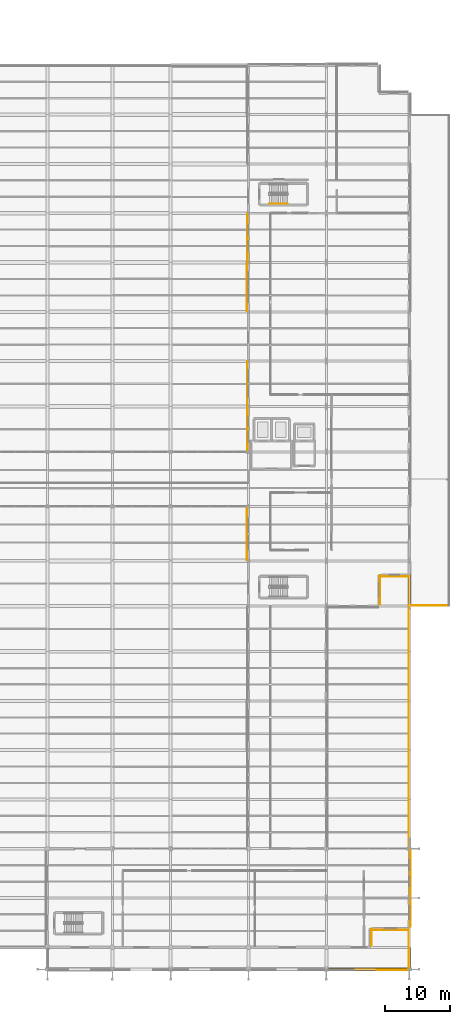
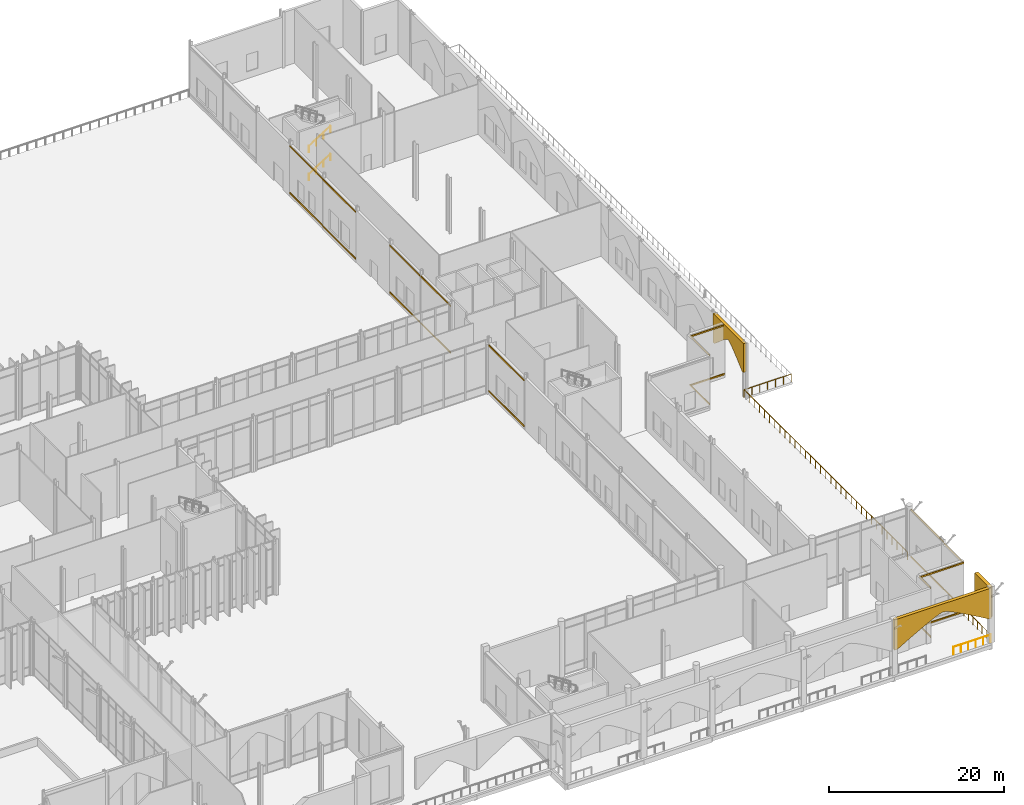
# One storey, part 172 of 176: 25 coverings, 5 railings.
"""IFC4 building model written with IfcOpenShell, lengths in metres."""

import ifcopenshell
import ifcopenshell.guid

model = None  # the IFC model being written
_history = None  # IfcOwnerHistory: only IFC2X3 demands one
_inside = {}  # id of a spatial element -> (the spatial element, [elements in it])
_under = {}  # id of a project, library or spatial element -> (it, [spatial elements below it])
_declared = {}  # id of a project -> (the project, [libraries it declares])
_typed = {}  # id of a type object -> (the type object, [elements of that type])
_made_of = {}  # id of a material, layer set ... -> (it, [elements and type objects made of it])


def new_model(schema):
    """Start an empty IFC model of exactly this schema.

    Asked for "IFC4X3", IfcOpenShell would pick the latest addendum, in which some entities
    have other attributes; the version numbers below select the first issue.
    IFC2X3 requires an IfcOwnerHistory on every rooted entity: one is made here for all.
    """
    global model, _history
    if schema == "IFC4X3":
        model = ifcopenshell.file(schema_version=(4, 3, 0, 0))
    else:
        model = ifcopenshell.file(schema=schema)
    _inside.clear()
    _under.clear()
    _declared.clear()
    _typed.clear()
    _made_of.clear()
    _history = None
    if model.schema == "IFC2X3":
        org = make("IfcOrganization", Name="unknown")
        user = make(
            "IfcPersonAndOrganization",
            ThePerson=make("IfcPerson", FamilyName="unknown"),
            TheOrganization=org,
        )
        app = make(
            "IfcApplication",
            ApplicationDeveloper=org,
            Version="unknown",
            ApplicationFullName="unknown",
            ApplicationIdentifier="unknown",
        )
        _history = make(
            "IfcOwnerHistory",
            OwningUser=user,
            OwningApplication=app,
            ChangeAction="ADDED",
            CreationDate=0,
        )
    return model


def make(cls, **values):
    """One entity of the class cls with the attributes given. An attribute that is None is left unset."""
    return model.create_entity(
        cls, **{name: value for name, value in values.items() if value is not None}
    )


def rooted(cls, **values):
    """An entity with a GlobalId (a new one), such as an element, a storey or a relation."""
    return make(cls, GlobalId=ifcopenshell.guid.new(), OwnerHistory=_history, **values)


def si_unit(unit_type, name, prefix=None):
    """IfcSIUnit, for example si_unit("LENGTHUNIT", "METRE", prefix="MILLI")."""
    return make("IfcSIUnit", UnitType=unit_type, Prefix=prefix, Name=name)


def assignment(units):
    """IfcUnitAssignment: the units of a project."""
    return None if units is None else make("IfcUnitAssignment", Units=units)


def point(xyz):
    """IfcCartesianPoint."""
    return None if xyz is None else make("IfcCartesianPoint", Coordinates=xyz)


def direction(xyz):
    """IfcDirection."""
    return None if xyz is None else make("IfcDirection", DirectionRatios=xyz)


def frame(location, z_axis=None, x_axis=None):
    """IfcAxis2Placement3D, a coordinate frame: its origin and axes. An axis left out is left unset."""
    return make(
        "IfcAxis2Placement3D",
        Location=point(location),
        Axis=direction(z_axis),
        RefDirection=direction(x_axis),
    )


def frame_2d(location, x_axis=None):
    """IfcAxis2Placement2D, a coordinate frame in the plane: its origin and x axis."""
    return make(
        "IfcAxis2Placement2D", Location=point(location), RefDirection=direction(x_axis)
    )


def origin():
    """The frame at (0, 0, 0) with its axes left unset."""
    return frame((0.0, 0.0, 0.0))


def origin_2d():
    """The frame at (0, 0) in the plane with its x axis left unset."""
    return frame_2d((0.0, 0.0))


def place(relative_to, where):
    """IfcLocalPlacement: puts the frame where relative to a parent placement (None: the world)."""
    return make(
        "IfcLocalPlacement", PlacementRelTo=relative_to, RelativePlacement=where
    )


def context(
    kind, dimensions, precision=None, world=None, true_north=None, identifier=None
):
    """IfcGeometricRepresentationContext, for example the 3D "Model" context."""
    return make(
        "IfcGeometricRepresentationContext",
        ContextIdentifier=identifier,
        ContextType=kind,
        CoordinateSpaceDimension=dimensions,
        Precision=precision,
        WorldCoordinateSystem=world,
        TrueNorth=true_north,
    )


def subcontext(parent, identifier, kind, view, scale=None):
    """IfcGeometricRepresentationSubContext, for example "Body" below "Model"."""
    return make(
        "IfcGeometricRepresentationSubContext",
        ContextIdentifier=identifier,
        ContextType=kind,
        ParentContext=parent,
        TargetScale=scale,
        TargetView=view,
    )


def project(units=None, contexts=None):
    """IfcProject with its units and contexts."""
    return rooted(
        "IfcProject",
        Name="project",
        RepresentationContexts=contexts,
        UnitsInContext=assignment(units),
    )


def spatial(cls, under=None, at=None, **own):
    """A site, building, storey or space (cls), placed at a placement, below another one or the project."""
    s = rooted(cls, ObjectPlacement=at, **own)
    if under is not None:
        _under.setdefault(under.id(), (under, []))[1].append(s)
    return s


def polyline(points):
    """IfcPolyline through the points."""
    return make("IfcPolyline", Points=[point(p) for p in points])


def profile(cls, at=None, kind="AREA", **sizes):
    """A parametric profile (cls). Its sizes go by their IFC names, for example OverallWidth=200.0."""
    return make(cls, ProfileType=kind, Position=at, **sizes)


def rectangle(**sizes):
    """IfcRectangleProfileDef."""
    return profile("IfcRectangleProfileDef", **sizes)


def circle(**sizes):
    """IfcCircleProfileDef."""
    return profile("IfcCircleProfileDef", **sizes)


def outline(outer, holes=None, kind="AREA"):
    """IfcArbitraryClosedProfileDef: a profile drawn as a closed curve; with holes, ...WithVoids."""
    if holes is None:
        return make("IfcArbitraryClosedProfileDef", ProfileType=kind, OuterCurve=outer)
    return make(
        "IfcArbitraryProfileDefWithVoids",
        ProfileType=kind,
        OuterCurve=outer,
        InnerCurves=holes,
    )


def extrude(swept, where, along, depth):
    """IfcExtrudedAreaSolid: the profile swept, set in the frame where, extruded along a direction by depth."""
    return make(
        "IfcExtrudedAreaSolid",
        SweptArea=swept,
        Position=where,
        ExtrudedDirection=direction(along),
        Depth=depth,
    )


def shape(context_of_items, identifier, shape_type, items):
    """IfcShapeRepresentation: the items that make up one representation, for example the "Body"."""
    return make(
        "IfcShapeRepresentation",
        ContextOfItems=context_of_items,
        RepresentationIdentifier=identifier,
        RepresentationType=shape_type,
        Items=items,
    )


def material(Name=None, Category=None):
    """IfcMaterial."""
    return make("IfcMaterial", Name=Name, Category=Category)


def layer(
    of_material, thickness, ventilated=None, Name=None, Category=None, Priority=None
):
    """IfcMaterialLayer: one layer of a wall or slab, of a material (None: an air gap)."""
    return make(
        "IfcMaterialLayer",
        Material=of_material,
        LayerThickness=thickness,
        IsVentilated=ventilated,
        Name=Name,
        Category=Category,
        Priority=Priority,
    )


def layer_set(layers, Name=None):
    """IfcMaterialLayerSet."""
    return make("IfcMaterialLayerSet", MaterialLayers=layers, LayerSetName=Name)


def made_of(thing, what):
    """Note that an element or type object is made of a material, layer set ...; save() writes the relation."""
    if what is not None:
        _made_of.setdefault(what.id(), (what, []))[1].append(thing)
    return thing


def type_object(cls, material=None, **own):
    """A type object (cls), such as IfcWallType, which elements share."""
    return made_of(rooted(cls, **own), material)


def element(
    cls,
    number,
    at=None,
    inside=None,
    cuts=None,
    type_object=None,
    material=None,
    context=None,
    identifier="Body",
    shape_type=None,
    held_by="IfcProductDefinitionShape",
    body=None,
    shapes=None,
    **own,
):
    """One element of the class cls, such as IfcWall. Its Tag is "e" and its number.

    at: its placement. inside: the storey or other place that contains it. cuts: it is an
    opening in that element (IfcRelVoidsElement). A single representation is given by context,
    identifier, shape_type and body (its items); several are given by shapes. held_by: the class
    of the entity that holds the representations. save() writes the other relations.
    """
    e = rooted(cls, Tag="e%d" % number, ObjectPlacement=at, **own)
    if body is not None:
        shapes = [shape(context, identifier, shape_type, body)]
    if shapes is not None:
        e.Representation = make(held_by, Representations=shapes)
    if inside is not None:
        _inside.setdefault(inside.id(), (inside, []))[1].append(e)
    if cuts is not None:
        rooted(
            "IfcRelVoidsElement", RelatingBuildingElement=cuts, RelatedOpeningElement=e
        )
    if type_object is not None:
        _typed.setdefault(type_object.id(), (type_object, []))[1].append(e)
    return made_of(e, material)


def aggregate(whole, parts):
    """IfcRelAggregates: a whole, such as a stair, and the parts it consists of."""
    return rooted("IfcRelAggregates", RelatingObject=whole, RelatedObjects=parts)


def save(model, path):
    """Write the relations noted so far, then the file.

    IfcRelAggregates (storeys below a building ...), IfcRelContainedInSpatialStructure (elements
    in a storey), IfcRelDefinesByType, IfcRelAssociatesMaterial and IfcRelDeclares: one each for
    every whole, place, type object, material and project.
    """
    for whole, parts in _under.values():
        aggregate(whole, parts)
    for where, things in _inside.values():
        rooted(
            "IfcRelContainedInSpatialStructure",
            RelatedElements=things,
            RelatingStructure=where,
        )
    for kind, things in _typed.values():
        rooted("IfcRelDefinesByType", RelatedObjects=things, RelatingType=kind)
    for what, things in _made_of.values():
        rooted("IfcRelAssociatesMaterial", RelatedObjects=things, RelatingMaterial=what)
    for by, libraries in _declared.values():
        rooted("IfcRelDeclares", RelatingContext=by, RelatedDefinitions=libraries)
    model.write(path)


model = new_model("IFC4")

# Units and contexts
model_context = context("Model", 3, precision=1e-05, world=origin(), true_north=direction((0.0, 1.0)))
body_context = subcontext(model_context, "Body", "Model", "MODEL_VIEW")
ifc_project = project(units=[si_unit("LENGTHUNIT", "METRE"), si_unit("AREAUNIT", "SQUARE_METRE"), si_unit("VOLUMEUNIT", "CUBIC_METRE"), si_unit("PLANEANGLEUNIT", "RADIAN"), si_unit("MASSUNIT", "GRAM", prefix="KILO")], contexts=[model_context])

# Site, building, storey
site_placement = place(None, origin())
site = spatial("IfcSite", under=ifc_project, at=site_placement, CompositionType="ELEMENT")
building_placement = place(site_placement, origin())
building = spatial("IfcBuilding", under=site, at=building_placement, Name="Vekula Escarpment Museum", CompositionType="ELEMENT")
storey_placement = place(building_placement, origin())
storey = spatial("IfcBuildingStorey", under=building, at=storey_placement, Name="L01", CompositionType="ELEMENT", Elevation=0.0)

# Coverings
ifc_material_1 = material(Name="Polychrome limestone almasik string-course band", Category="masonry")
ifc_layer_1 = layer(ifc_material_1, 0.06005859375)
ifc_layer_set_1 = layer_set([ifc_layer_1], Name="Polychrome limestone almasik string-course band")
covering_type_1 = type_object("IfcCoveringType", Name="COV-ALM-BAND", PredefinedType="CLADDING", material=ifc_layer_set_1)
for number, where, z_axis, x_axis, name in (
    (1, (166.783935546875, 63.71044921875, 0.41015625), (0.0, 0.0, 1.0), (0.0, 1.0, 0.0), "Almasik Stone String Course L01-0005"),
    (2, (166.783935546875, 63.71044921875, 6.7548828125), (0.0, 0.0, 1.0), (0.0, 1.0, 0.0), "Almasik Stone String Course L01-0006"),
):
    element("IfcCovering", number, at=place(storey_placement, frame(where, z_axis=z_axis, x_axis=x_axis)), inside=storey, type_object=covering_type_1, Name=name, PredefinedType="CLADDING", context=body_context, shape_type="SweptSolid", body=[
        extrude(rectangle(XDim=8.10107421875, YDim=0.06005859375, at=origin_2d()), origin(), (0.0, 0.0, 1.0), 0.219970703125),
    ])
for number, where, z_axis, x_axis, name in (
    (3, (185.97607421875, 1.52587890625, 0.41015625), (0.0, 0.0, 1.0), (0.0, 1.0, 0.0), "Almasik Stone String Course L01-0021"),
    (4, (185.97607421875, 1.52587890625, 7.2099609375), (0.0, 0.0, 1.0), (0.0, 1.0, 0.0), "Almasik Stone String Course L01-0022"),
):
    element("IfcCovering", number, at=place(storey_placement, frame(where, z_axis=z_axis, x_axis=x_axis)), inside=storey, type_object=covering_type_1, Name=name, PredefinedType="CLADDING", context=body_context, shape_type="SweptSolid", body=[
        extrude(rectangle(XDim=2.60400390625, YDim=0.06005859375, at=origin_2d()), origin(), (0.0, 0.0, 1.0), 0.219970703125),
    ])
for number, where, z_axis, x_axis, name in (
    (5, (188.876953125, 2.672119140625, 0.41015625), (0.0, 0.0, 1.0), (1.0, 0.0, 0.0), "Almasik Stone String Course L01-0023"),
    (6, (188.876953125, 2.672119140625, 7.2099609375), (0.0, 0.0, 1.0), (1.0, 0.0, 0.0), "Almasik Stone String Course L01-0024"),
):
    element("IfcCovering", number, at=place(storey_placement, frame(where, z_axis=z_axis, x_axis=x_axis)), inside=storey, type_object=covering_type_1, Name=name, PredefinedType="CLADDING", context=body_context, shape_type="SweptSolid", body=[
        extrude(rectangle(XDim=5.72607421875, YDim=0.06005859375, at=origin_2d()), origin(), (0.0, 0.0, 1.0), 0.219970703125),
    ])
for number, where, z_axis, x_axis, name in (
    (7, (192.0009765625, 5.341064453125, 0.41015625), (0.0, 0.0, 1.0), (0.0, 1.0, 0.0), "Almasik Stone String Course L01-0025"),
    (8, (192.0009765625, 5.341064453125, 6.81494140625), (0.0, 0.0, 1.0), (0.0, 1.0, 0.0), "Almasik Stone String Course L01-0026"),
):
    element("IfcCovering", number, at=place(storey_placement, frame(where, z_axis=z_axis, x_axis=x_axis)), inside=storey, type_object=covering_type_1, Name=name, PredefinedType="CLADDING", context=body_context, shape_type="SweptSolid", body=[
        extrude(rectangle(XDim=4.39794921875, YDim=0.06005859375, at=origin_2d()), origin(), (0.0, 0.0, 1.0), 0.219970703125),
    ])
for number, where, z_axis, x_axis, name in (
    (9, (191.986083984375, 11.39990234375, 0.41015625), (0.0, 0.0, 1.0), (0.0, 1.0, 0.0), "Almasik Stone String Course L01-0027"),
    (10, (191.986083984375, 11.39990234375, 6.96484375), (0.0, 0.0, 1.0), (0.0, 1.0, 0.0), "Almasik Stone String Course L01-0028"),
):
    element("IfcCovering", number, at=place(storey_placement, frame(where, z_axis=z_axis, x_axis=x_axis)), inside=storey, type_object=covering_type_1, Name=name, PredefinedType="CLADDING", context=body_context, shape_type="SweptSolid", body=[
        extrude(rectangle(XDim=7.47998046875, YDim=0.06005859375, at=origin_2d()), origin(), (0.0, 0.0, 1.0), 0.219970703125),
    ])
for number, where, z_axis, x_axis, name in (
    (11, (187.263916015625, 55.08203125, 0.41015625), (0.0, 0.0, 1.0), (0.0, 1.0, 0.0), "Almasik Stone String Course L01-0041"),
    (12, (187.263916015625, 55.08203125, 7.2099609375), (0.0, 0.0, 1.0), (0.0, 1.0, 0.0), "Almasik Stone String Course L01-0042"),
):
    element("IfcCovering", number, at=place(storey_placement, frame(where, z_axis=z_axis, x_axis=x_axis)), inside=storey, type_object=covering_type_1, Name=name, PredefinedType="CLADDING", context=body_context, shape_type="SweptSolid", body=[
        extrude(rectangle(XDim=4.51611328125, YDim=0.06005859375, at=origin_2d()), origin(), (0.0, 0.0, 1.0), 0.219970703125),
    ])
for number, where, z_axis, x_axis, name in (
    (13, (189.52099609375, 57.18408203125, 0.41015625), (0.0, 0.0, 1.0), (1.0, 0.0, 0.0), "Almasik Stone String Course L01-0043"),
    (14, (189.52099609375, 57.18408203125, 7.2099609375), (0.0, 0.0, 1.0), (1.0, 0.0, 0.0), "Almasik Stone String Course L01-0044"),
):
    element("IfcCovering", number, at=place(storey_placement, frame(where, z_axis=z_axis, x_axis=x_axis)), inside=storey, type_object=covering_type_1, Name=name, PredefinedType="CLADDING", context=body_context, shape_type="SweptSolid", body=[
        extrude(rectangle(XDim=4.43798828125, YDim=0.06005859375, at=origin_2d()), origin(), (0.0, 0.0, 1.0), 0.219970703125),
    ])
for number, where, z_axis, x_axis, name in (
    (15, (166.823974609375, 109.39990234375, 0.41015625), (0.0, 0.0, 1.0), (0.0, 1.0, 0.0), "Almasik Stone String Course L01-0071"),
    (16, (166.823974609375, 109.39990234375, 6.90478515625), (0.0, 0.0, 1.0), (0.0, 1.0, 0.0), "Almasik Stone String Course L01-0072"),
    (17, (166.783935546875, 101.800048828125, 0.41015625), (0.0, 0.0, 1.0), (0.0, 1.0, 0.0), "Almasik Stone String Course L01-0073"),
    (18, (166.783935546875, 101.800048828125, 6.90478515625), (0.0, 0.0, 1.0), (0.0, 1.0, 0.0), "Almasik Stone String Course L01-0074"),
):
    element("IfcCovering", number, at=place(storey_placement, frame(where, z_axis=z_axis, x_axis=x_axis)), inside=storey, type_object=covering_type_1, Name=name, PredefinedType="CLADDING", context=body_context, shape_type="SweptSolid", body=[
        extrude(rectangle(XDim=7.47998046875, YDim=0.06005859375, at=origin_2d()), origin(), (0.0, 0.0, 1.0), 0.219970703125),
    ])
for number, where, z_axis, x_axis, name in (
    (19, (166.81396484375, 86.89990234375, 0.41015625), (0.0, 0.0, 1.0), (0.0, 1.0, 0.0), "Almasik Stone String Course L01-0075"),
    (20, (166.81396484375, 86.89990234375, 6.90478515625), (0.0, 0.0, 1.0), (0.0, 1.0, 0.0), "Almasik Stone String Course L01-0076"),
    (21, (166.823974609375, 79.89990234375, 0.41015625), (0.0, 0.0, 1.0), (0.0, 1.0, 0.0), "Almasik Stone String Course L01-0077"),
    (22, (166.823974609375, 79.89990234375, 6.90478515625), (0.0, 0.0, 1.0), (0.0, 1.0, 0.0), "Almasik Stone String Course L01-0078"),
):
    element("IfcCovering", number, at=place(storey_placement, frame(where, z_axis=z_axis, x_axis=x_axis)), inside=storey, type_object=covering_type_1, Name=name, PredefinedType="CLADDING", context=body_context, shape_type="SweptSolid", body=[
        extrude(rectangle(XDim=6.8798828125, YDim=0.06005859375, at=origin_2d()), origin(), (0.0, 0.0, 1.0), 0.219970703125),
    ])
ifc_material_2 = material(Name="Carved limestone revak pointed-arch cladding", Category="masonry")
ifc_layer_2 = layer(ifc_material_2, 0.3798828125)
ifc_layer_set_2 = layer_set([ifc_layer_2], Name="Carved limestone revak pointed-arch cladding")
covering_type_2 = type_object("IfcCoveringType", Name="COV-REVAK-ARCH", PredefinedType="CLADDING", material=ifc_layer_set_2)
covering_1_placement = place(storey_placement, frame((185.39990234375, -3.18994140625, 3.39990234375), z_axis=(0.0, -1.0, 0.0), x_axis=(1.0, 0.0, 0.0)))
element("IfcCovering", 23, at=covering_1_placement, inside=storey, type_object=covering_type_2, Name="Ottoman Pointed-Arch Revak Spandrel S-PORT-5", PredefinedType="CLADDING", context=body_context, shape_type="SweptSolid", body=[
    extrude(outline(polyline([(-6.3798828125, 4.219970703125), (6.3798828125, 4.219970703125), (6.3798828125, 0.0), (6.0400390625, 0.0), (4.85302734375, 0.689697265625), (3.710205078125, 1.344970703125), (2.65380859375, 1.932861328125), (1.722900390625, 2.423583984375), (0.95263671875, 2.79296875), (0.37109375, 3.022216796875), (0.0, 3.10009765625), (-0.37109375, 3.022216796875), (-0.95263671875, 2.79296875), (-1.722900390625, 2.423583984375), (-2.65380859375, 1.932861328125), (-3.710205078125, 1.344970703125), (-4.85302734375, 0.689697265625), (-6.0400390625, 0.0), (-6.3798828125, 0.0), (-6.3798828125, 4.219970703125)])), origin(), (0.0, 0.0, 1.0), 0.420166015625),
])
covering_2_placement = place(storey_placement, frame((192.010009765625, -1.72509765625, 3.39990234375), z_axis=(-1.0, 0.0, 0.0), x_axis=(0.0, -1.0, 0.0)))
element("IfcCovering", 24, at=covering_2_placement, inside=storey, type_object=covering_type_2, Name="Ottoman Pointed-Arch Revak Spandrel S-PORT-E", PredefinedType="CLADDING", context=body_context, shape_type="SweptSolid", body=[
    extrude(outline(polyline([(-1.655029296875, 4.219970703125), (1.655029296875, 4.219970703125), (1.655029296875, 0.0), (1.31494140625, 0.0), (1.056640625, 0.32275390625), (0.8076171875, 0.629150390625), (0.57763671875, 0.904052734375), (0.375, 1.1337890625), (0.20751953125, 1.306396484375), (0.080810546875, 1.41357421875), (0.0, 1.449951171875), (-0.080810546875, 1.41357421875), (-0.20751953125, 1.306396484375), (-0.375, 1.1337890625), (-0.57763671875, 0.904052734375), (-0.8076171875, 0.629150390625), (-1.056640625, 0.32275390625), (-1.31494140625, 0.0), (-1.655029296875, 0.0), (-1.655029296875, 4.219970703125)])), origin(), (0.0, 0.0, 1.0), 0.419921875),
])
covering_3_placement = place(storey_placement, frame((191.590087890625, 56.10009765625, 3.550048828125), z_axis=(1.0, 0.0, 0.0), x_axis=(0.0, 1.0, 0.0)))
element("IfcCovering", 25, at=covering_3_placement, inside=storey, type_object=covering_type_2, Name="Ottoman Pointed-Arch Revak Spandrel E-CUMB-1", PredefinedType="CLADDING", context=body_context, shape_type="SweptSolid", body=[
    extrude(outline(polyline([(-3.47998046875, 4.0), (3.47998046875, 4.0), (3.47998046875, 0.0), (3.139892578125, 0.0), (2.52294921875, 0.545166015625), (1.9287109375, 1.06298828125), (1.379638671875, 1.527587890625), (0.895751953125, 1.91552734375), (0.4951171875, 2.20751953125), (0.19287109375, 2.388671875), (0.0, 2.449951171875), (-0.19287109375, 2.388671875), (-0.4951171875, 2.20751953125), (-0.895751953125, 1.91552734375), (-1.379638671875, 1.527587890625), (-1.9287109375, 1.06298828125), (-2.52294921875, 0.545166015625), (-3.139892578125, 0.0), (-3.47998046875, 0.0), (-3.47998046875, 4.0)])), origin(), (0.0, 0.0, 1.0), 0.419921875),
])

# Railings
ifc_material_3 = material(Name="Brushed stainless steel handrail", Category="steel")
railing_type_1 = type_object("IfcRailingType", Name="RL-STAIR-HAND", PredefinedType="HANDRAIL", material=ifc_material_3)
for number, where, name in (
    (26, (170.25, 114.64990234375, 0.17724609375), "L01 ST-05 stair handrail 1"),
    (27, (170.25, 114.64990234375, 4.077392578125), "L01 ST-05 stair handrail 3"),
):
    element("IfcRailing", number, at=place(storey_placement, frame(where)), inside=storey, type_object=railing_type_1, Name=name, PredefinedType="HANDRAIL", context=body_context, shape_type="SweptSolid", body=[
        extrude(circle(Radius=0.02392578125, at=origin_2d()), frame((0.0, 0.0, 0.8759765625), z_axis=(0.844908973607, 0.0, 0.534910110503), x_axis=(0.0, 1.0, 0.0)), (0.0, 0.0, 1.0), 3.31396484375),
        extrude(circle(Radius=0.02099609375, at=origin_2d()), origin(), (0.0, 0.0, 1.0), 0.851806640625),
        extrude(circle(Radius=0.02099609375, at=origin_2d()), frame((0.933349609375, 0.0, 0.5908203125)), (0.0, 0.0, 1.0), 0.851806640625),
        extrude(circle(Radius=0.02099609375, at=origin_2d()), frame((1.86669921875, 0.0, 1.181884765625)), (0.0, 0.0, 1.0), 0.851806640625),
        extrude(circle(Radius=0.02099609375, at=origin_2d()), frame((2.800048828125, 0.0, 1.772705078125)), (0.0, 0.0, 1.0), 0.851806640625),
    ])
ifc_material_4 = material(Name="Bronze-coated Steel S355 balustrade", Category="steel")
railing_type_2 = type_object("IfcRailingType", Name="RL-TER-GUARD", PredefinedType="GUARDRAIL", material=ifc_material_4)
railing_1_placement = place(storey_placement, frame((197.909912109375, 52.68994140625, 0.0)))
element("IfcRailing", 28, at=railing_1_placement, inside=storey, type_object=railing_type_2, Name="Terrace Balustrade L01-008", PredefinedType="GUARDRAIL", context=body_context, shape_type="SweptSolid", body=[
    extrude(circle(Radius=0.02392578125, at=origin_2d()), frame((0.0, 0.0, 1.076171875), z_axis=(-1.0, 0.0, 0.0), x_axis=(0.0, -1.0, 0.0)), (0.0, 0.0, 1.0), 6.199951171875),
    extrude(circle(Radius=0.02392578125, at=origin_2d()), frame((-6.199951171875, 0.0, 1.076171875), z_axis=(0.0, -1.0, 0.0), x_axis=(1.0, 0.0, 0.0)), (0.0, 0.0, 1.0), 37.2099609375),
    extrude(circle(Radius=0.02099609375, at=origin_2d()), origin(), (0.0, 0.0, 1.0), 1.052001953125),
    extrude(circle(Radius=0.02099609375, at=origin_2d()), frame((-1.033203125, 0.0, 0.0)), (0.0, 0.0, 1.0), 1.052001953125),
    extrude(circle(Radius=0.02099609375, at=origin_2d()), frame((-2.066650390625, 0.0, 0.0)), (0.0, 0.0, 1.0), 1.052001953125),
    extrude(circle(Radius=0.02099609375, at=origin_2d()), frame((-3.10009765625, 0.0, 0.0)), (0.0, 0.0, 1.0), 1.052001953125),
    extrude(circle(Radius=0.02099609375, at=origin_2d()), frame((-4.13330078125, 0.0, 0.0)), (0.0, 0.0, 1.0), 1.052001953125),
    extrude(circle(Radius=0.02099609375, at=origin_2d()), frame((-5.16650390625, 0.0, 0.0)), (0.0, 0.0, 1.0), 1.052001953125),
    extrude(circle(Radius=0.02099609375, at=origin_2d()), frame((-6.199951171875, 0.0, 0.0)), (0.0, 0.0, 1.0), 1.052001953125),
    extrude(circle(Radius=0.02099609375, at=origin_2d()), frame((-6.199951171875, -1.162841796875, 0.0)), (0.0, 0.0, 1.0), 1.052001953125),
    extrude(circle(Radius=0.02099609375, at=origin_2d()), frame((-6.199951171875, -2.32568359375, 0.0)), (0.0, 0.0, 1.0), 1.052001953125),
    extrude(circle(Radius=0.02099609375, at=origin_2d()), frame((-6.199951171875, -3.488525390625, 0.0)), (0.0, 0.0, 1.0), 1.052001953125),
    extrude(circle(Radius=0.02099609375, at=origin_2d()), frame((-6.199951171875, -4.6513671875, 0.0)), (0.0, 0.0, 1.0), 1.052001953125),
    extrude(circle(Radius=0.02099609375, at=origin_2d()), frame((-6.199951171875, -5.81396484375, 0.0)), (0.0, 0.0, 1.0), 1.052001953125),
    extrude(circle(Radius=0.02099609375, at=origin_2d()), frame((-6.199951171875, -6.976806640625, 0.0)), (0.0, 0.0, 1.0), 1.052001953125),
    extrude(circle(Radius=0.02099609375, at=origin_2d()), frame((-6.199951171875, -8.1396484375, 0.0)), (0.0, 0.0, 1.0), 1.052001953125),
    extrude(circle(Radius=0.02099609375, at=origin_2d()), frame((-6.199951171875, -9.302490234375, 0.0)), (0.0, 0.0, 1.0), 1.052001953125),
    extrude(circle(Radius=0.02099609375, at=origin_2d()), frame((-6.199951171875, -10.46533203125, 0.0)), (0.0, 0.0, 1.0), 1.052001953125),
    extrude(circle(Radius=0.02099609375, at=origin_2d()), frame((-6.199951171875, -11.628173828125, 0.0)), (0.0, 0.0, 1.0), 1.052001953125),
    extrude(circle(Radius=0.02099609375, at=origin_2d()), frame((-6.199951171875, -12.791015625, 0.0)), (0.0, 0.0, 1.0), 1.052001953125),
    extrude(circle(Radius=0.02099609375, at=origin_2d()), frame((-6.199951171875, -13.95361328125, 0.0)), (0.0, 0.0, 1.0), 1.052001953125),
    extrude(circle(Radius=0.02099609375, at=origin_2d()), frame((-6.199951171875, -15.116455078125, 0.0)), (0.0, 0.0, 1.0), 1.052001953125),
    extrude(circle(Radius=0.02099609375, at=origin_2d()), frame((-6.199951171875, -16.279296875, 0.0)), (0.0, 0.0, 1.0), 1.052001953125),
    extrude(circle(Radius=0.02099609375, at=origin_2d()), frame((-6.199951171875, -17.442138671875, 0.0)), (0.0, 0.0, 1.0), 1.052001953125),
    extrude(circle(Radius=0.02099609375, at=origin_2d()), frame((-6.199951171875, -18.60498046875, 0.0)), (0.0, 0.0, 1.0), 1.052001953125),
    extrude(circle(Radius=0.02099609375, at=origin_2d()), frame((-6.199951171875, -19.767822265625, 0.0)), (0.0, 0.0, 1.0), 1.052001953125),
    extrude(circle(Radius=0.02099609375, at=origin_2d()), frame((-6.199951171875, -20.9306640625, 0.0)), (0.0, 0.0, 1.0), 1.052001953125),
    extrude(circle(Radius=0.02099609375, at=origin_2d()), frame((-6.199951171875, -22.093505859375, 0.0)), (0.0, 0.0, 1.0), 1.052001953125),
    extrude(circle(Radius=0.02099609375, at=origin_2d()), frame((-6.199951171875, -23.25634765625, 0.0)), (0.0, 0.0, 1.0), 1.052001953125),
    extrude(circle(Radius=0.02099609375, at=origin_2d()), frame((-6.199951171875, -24.4189453125, 0.0)), (0.0, 0.0, 1.0), 1.052001953125),
    extrude(circle(Radius=0.02099609375, at=origin_2d()), frame((-6.199951171875, -25.581787109375, 0.0)), (0.0, 0.0, 1.0), 1.052001953125),
    extrude(circle(Radius=0.02099609375, at=origin_2d()), frame((-6.199951171875, -26.74462890625, 0.0)), (0.0, 0.0, 1.0), 1.052001953125),
    extrude(circle(Radius=0.02099609375, at=origin_2d()), frame((-6.199951171875, -27.907470703125, 0.0)), (0.0, 0.0, 1.0), 1.052001953125),
    extrude(circle(Radius=0.02099609375, at=origin_2d()), frame((-6.199951171875, -29.0703125, 0.0)), (0.0, 0.0, 1.0), 1.052001953125),
    extrude(circle(Radius=0.02099609375, at=origin_2d()), frame((-6.199951171875, -30.233154296875, 0.0)), (0.0, 0.0, 1.0), 1.052001953125),
    extrude(circle(Radius=0.02099609375, at=origin_2d()), frame((-6.199951171875, -31.39599609375, 0.0)), (0.0, 0.0, 1.0), 1.052001953125),
    extrude(circle(Radius=0.02099609375, at=origin_2d()), frame((-6.199951171875, -32.55859375, 0.0)), (0.0, 0.0, 1.0), 1.052001953125),
    extrude(circle(Radius=0.02099609375, at=origin_2d()), frame((-6.199951171875, -33.721435546875, 0.0)), (0.0, 0.0, 1.0), 1.052001953125),
    extrude(circle(Radius=0.02099609375, at=origin_2d()), frame((-6.199951171875, -34.88427734375, 0.0)), (0.0, 0.0, 1.0), 1.052001953125),
    extrude(circle(Radius=0.02099609375, at=origin_2d()), frame((-6.199951171875, -36.047119140625, 0.0)), (0.0, 0.0, 1.0), 1.052001953125),
    extrude(circle(Radius=0.02099609375, at=origin_2d()), frame((-6.199951171875, -37.2099609375, 0.0)), (0.0, 0.0, 1.0), 1.052001953125),
])
railing_2_placement = place(storey_placement, frame((191.7099609375, -3.510009765625, 0.0)))
element("IfcRailing", 29, at=railing_2_placement, inside=storey, type_object=railing_type_2, Name="Terrace Balustrade L01-010", PredefinedType="GUARDRAIL", context=body_context, shape_type="SweptSolid", body=[
    extrude(circle(Radius=0.02392578125, at=origin_2d()), frame((0.0, 0.0, 1.076171875), z_axis=(-1.0, 0.0, 0.0), x_axis=(0.0, -1.0, 0.0)), (0.0, 0.0, 1.0), 4.909912109375),
    extrude(circle(Radius=0.02099609375, at=origin_2d()), origin(), (0.0, 0.0, 1.0), 1.052001953125),
    extrude(circle(Radius=0.02099609375, at=origin_2d()), frame((-0.98193359375, 0.0, 0.0)), (0.0, 0.0, 1.0), 1.052001953125),
    extrude(circle(Radius=0.02099609375, at=origin_2d()), frame((-1.9638671875, 0.0, 0.0)), (0.0, 0.0, 1.0), 1.052001953125),
    extrude(circle(Radius=0.02099609375, at=origin_2d()), frame((-2.946044921875, 0.0, 0.0)), (0.0, 0.0, 1.0), 1.052001953125),
    extrude(circle(Radius=0.02099609375, at=origin_2d()), frame((-3.927978515625, 0.0, 0.0)), (0.0, 0.0, 1.0), 1.052001953125),
    extrude(circle(Radius=0.02099609375, at=origin_2d()), frame((-4.909912109375, 0.0, 0.0)), (0.0, 0.0, 1.0), 1.052001953125),
])
railing_3_placement = place(storey_placement, frame((191.7099609375, 2.5380859375, 0.0)))
element("IfcRailing", 30, at=railing_3_placement, inside=storey, type_object=railing_type_2, Name="Terrace Balustrade L01-016", PredefinedType="GUARDRAIL", context=body_context, shape_type="SweptSolid", body=[
    extrude(circle(Radius=0.02392578125, at=origin_2d()), frame((0.0, 0.0, 1.076171875), z_axis=(0.0, -1.0, 0.0), x_axis=(1.0, 0.0, 0.0)), (0.0, 0.0, 1.0), 6.048095703125),
    extrude(circle(Radius=0.02099609375, at=origin_2d()), origin(), (0.0, 0.0, 1.0), 1.052001953125),
    extrude(circle(Radius=0.02099609375, at=origin_2d()), frame((0.0, -1.008056640625, 0.0)), (0.0, 0.0, 1.0), 1.052001953125),
    extrude(circle(Radius=0.02099609375, at=origin_2d()), frame((0.0, -2.01611328125, 0.0)), (0.0, 0.0, 1.0), 1.052001953125),
    extrude(circle(Radius=0.02099609375, at=origin_2d()), frame((0.0, -3.02392578125, 0.0)), (0.0, 0.0, 1.0), 1.052001953125),
    extrude(circle(Radius=0.02099609375, at=origin_2d()), frame((0.0, -4.031982421875, 0.0)), (0.0, 0.0, 1.0), 1.052001953125),
    extrude(circle(Radius=0.02099609375, at=origin_2d()), frame((0.0, -5.0400390625, 0.0)), (0.0, 0.0, 1.0), 1.052001953125),
    extrude(circle(Radius=0.02099609375, at=origin_2d()), frame((0.0, -6.048095703125, 0.0)), (0.0, 0.0, 1.0), 1.052001953125),
])

save(model, "model.ifc")
